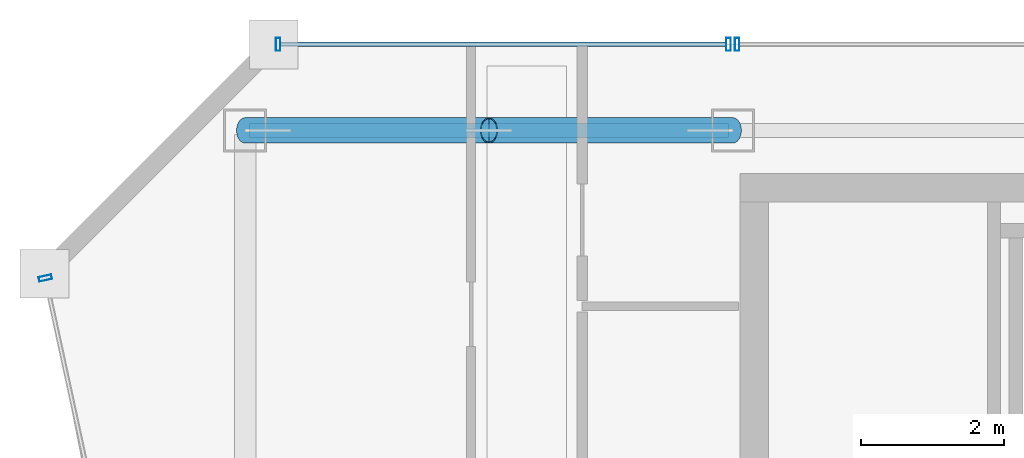
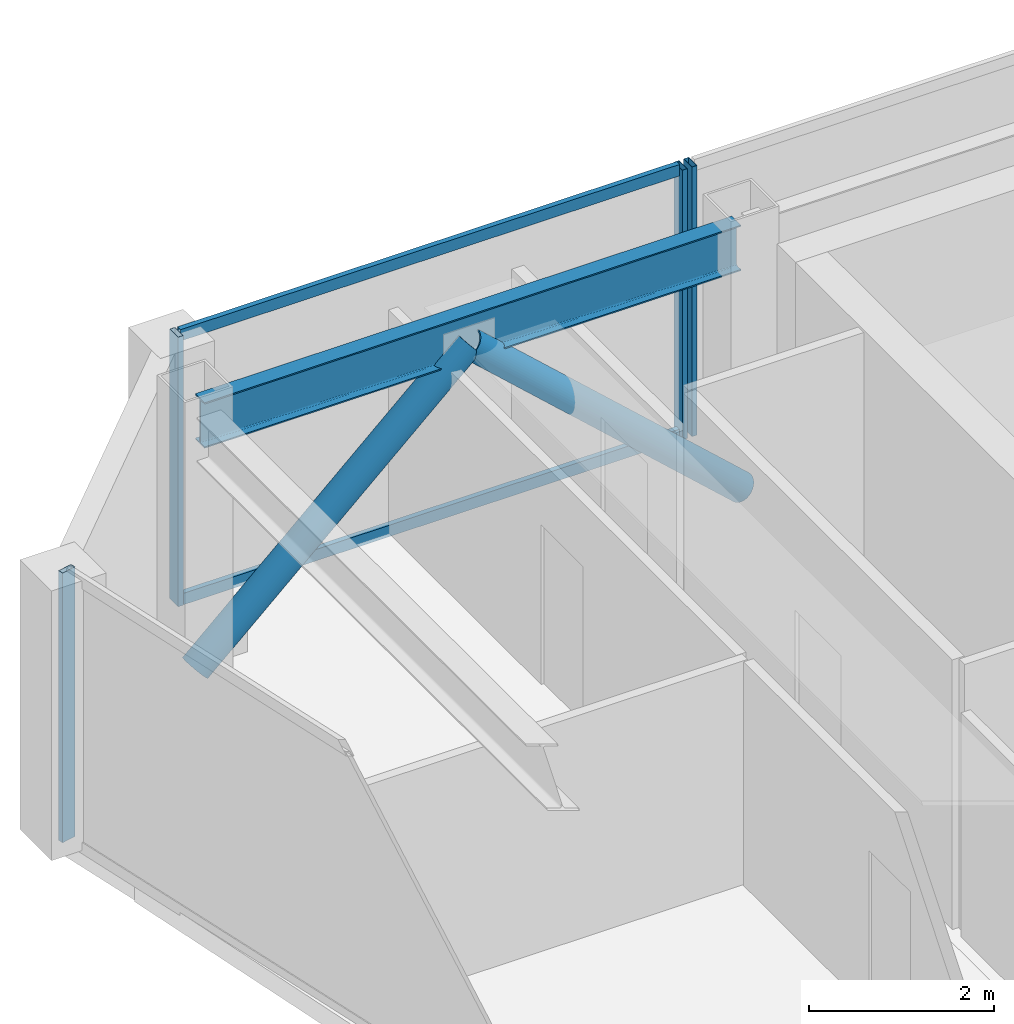
# One storey, part 4 of 17: 8 members, 1 beam, 3 elements without a shape of their own.
"""IFC4 building model written with IfcOpenShell, lengths in metres."""

from ifc_helpers import new_model, si_unit, direction, frame, origin, origin_2d, place, context, subcontext, project, spatial, hollow_rectangle, hollow_circle, i_section, extrude, material, material_profile, profile_set, type_object, element, aggregate, save


model = new_model("IFC4")

# Units and contexts
model_context = context("Model", 3, precision=1e-05, world=origin(), true_north=direction((0.0, 1.0)))
body_context = subcontext(model_context, "Body", "Model", "MODEL_VIEW")
ifc_project = project(units=[si_unit("LENGTHUNIT", "METRE"), si_unit("AREAUNIT", "SQUARE_METRE"), si_unit("VOLUMEUNIT", "CUBIC_METRE"), si_unit("PLANEANGLEUNIT", "RADIAN"), si_unit("MASSUNIT", "GRAM", prefix="KILO")], contexts=[model_context])

# Site, building, storey
site_placement = place(None, origin())
site = spatial("IfcSite", under=ifc_project, at=site_placement, CompositionType="ELEMENT")
building_placement = place(site_placement, origin())
building = spatial("IfcBuilding", under=site, at=building_placement, Name="Saevonmaru Cultural Tower", CompositionType="ELEMENT")
storey_placement = place(building_placement, frame((0.0, 0.0, 310.39990234375)))
storey = spatial("IfcBuildingStorey", under=building, at=storey_placement, Name="L74", CompositionType="ELEMENT", Elevation=310.39990234375)

# Beam
ifc_material_1 = material(Name="Steel SM355", Category="steel")
ifc_material_profile_1 = material_profile(ifc_material_1, i_section(OverallWidth=0.199951171875, OverallDepth=0.60009765625, WebThickness=0.010986328125, FlangeThickness=0.01708984375, FilletRadius=0.02197265625, at=origin_2d()), Name="H-600x200x11x17")
ifc_profile_set_1 = profile_set([ifc_material_profile_1], Name="Steel SM355")
beam_type = type_object("IfcBeamType", Name="BM-SP-H600", PredefinedType="SPANDREL", material=ifc_profile_set_1)
beam_placement = place(storey_placement, frame((6.860107421875, 54.800048828125, 3.25), z_axis=(1.0, 0.0, 0.0), x_axis=(0.0, 1.0, 0.0)))
element("IfcBeam", 1, at=beam_placement, inside=storey, type_object=beam_type, Name="L74 North Spine Girder 1", PredefinedType="SPANDREL", context=body_context, shape_type="SweptSolid", body=[
    extrude(i_section(OverallWidth=0.199951171875, OverallDepth=0.60009765625, WebThickness=0.010986328125, FlangeThickness=0.01708984375, FilletRadius=0.02197265625, at=origin_2d()), origin(), (0.0, 0.0, 1.0), 6.679931640625),
])

# Members
ifc_material_profile_2 = material_profile(ifc_material_1, hollow_circle(Radius=0.177734375, WallThickness=0.01611328125, at=origin_2d()), Name="CHS-355.6x16")
ifc_profile_set_2 = profile_set([ifc_material_profile_2], Name="Steel SM355")
member_type_1 = type_object("IfcMemberType", Name="MB-PBR-CHS356", PredefinedType="BRACE", material=ifc_profile_set_2)
member_1_placement = place(storey_placement, frame((6.800048828125, 54.800048828125, 0.02001953125), z_axis=(0.738935641579, 0.0, 0.673776014417), x_axis=(0.0, 1.0, 0.0)))
element("IfcMember", 2, at=member_1_placement, inside=storey, type_object=member_type_1, Name="L74 Perimeter Braced-Tube Diagonal WN1", PredefinedType="BRACE", context=body_context, shape_type="SweptSolid", body=[
    extrude(hollow_circle(Radius=0.177734375, WallThickness=0.01611328125, at=origin_2d()), origin(), (0.0, 0.0, 1.0), 4.60107421875),
])
member_2_placement = place(storey_placement, frame((13.60009765625, 54.800048828125, 0.02001953125), z_axis=(-0.738959728749, 0.0, 0.673749596873), x_axis=(0.0, -1.0, 0.0)))
element("IfcMember", 3, at=member_2_placement, inside=storey, type_object=member_type_1, Name="L74 Perimeter Braced-Tube Diagonal WN2", PredefinedType="BRACE", context=body_context, shape_type="SweptSolid", body=[
    extrude(hollow_circle(Radius=0.177734375, WallThickness=0.01611328125, at=origin_2d()), origin(), (0.0, 0.0, 1.0), 4.601318359375),
])

# Curtain wall, member
ifc_material_2 = material(Name="Satin Bronze Anodised Aluminium", Category="aluminium")
curtain_wall_type = type_object("IfcCurtainWallType", Name="CW-TYP-B", PredefinedType="NOTDEFINED", material=ifc_material_2)
curtain_wall_1_placement = place(storey_placement, origin())
curtain_wall_1 = element("IfcCurtainWall", 4, at=curtain_wall_1_placement, inside=storey, type_object=curtain_wall_type, Name="L74 North Spine Unitised Curtain Wall E10B", PredefinedType="NOTDEFINED")
ifc_material_profile_3 = material_profile(ifc_material_2, hollow_rectangle(XDim=0.06494140625, YDim=0.179931640625, WallThickness=0.00390625, at=origin_2d()), Name="ALU-MULL-180x65x4")
ifc_profile_set_3 = profile_set([ifc_material_profile_3], Name="Satin Bronze Anodised Aluminium")
member_type_2 = type_object("IfcMemberType", Name="ML-CW-180x65", PredefinedType="MULLION", material=ifc_profile_set_3)
member_3_placement = place(storey_placement, frame((13.659912109375, 56.0, 0.0), z_axis=(0.0, 0.0, 1.0), x_axis=(-1.0, 0.0, 0.0)))
member_3 = element("IfcMember", 5, at=member_3_placement, type_object=member_type_2, Name="CW-TW-L74-E10B mullion 4", PredefinedType="MULLION", context=body_context, shape_type="SweptSolid", body=[
    extrude(hollow_rectangle(XDim=0.06494140625, YDim=0.179931640625, WallThickness=0.00390625, at=origin_2d()), origin(), (0.0, 0.0, 1.0), 3.550048828125),
])
aggregate(curtain_wall_1, [member_3])

# Curtain wall, members
curtain_wall_2_placement = place(storey_placement, origin())
curtain_wall_2 = element("IfcCurtainWall", 6, at=curtain_wall_2_placement, inside=storey, type_object=curtain_wall_type, Name="L74 West Braced Bay Spandrel Curtain Wall E10C", PredefinedType="NOTDEFINED")
member_4_placement = place(storey_placement, frame((13.5400390625, 56.0, 0.0), z_axis=(0.0, 0.0, 1.0), x_axis=(-1.0, 0.0, 0.0)))
member_4 = element("IfcMember", 7, at=member_4_placement, type_object=member_type_2, Name="CW-TW-L74-E10C mullion 1", PredefinedType="MULLION", context=body_context, shape_type="SweptSolid", body=[
    extrude(hollow_rectangle(XDim=0.06494140625, YDim=0.179931640625, WallThickness=0.00390625, at=origin_2d()), origin(), (0.0, 0.0, 1.0), 3.550048828125),
])
member_5_placement = place(storey_placement, frame((7.260009765625, 56.0, 0.0), z_axis=(0.0, 0.0, 1.0), x_axis=(-1.0, 0.0, 0.0)))
member_5 = element("IfcMember", 8, at=member_5_placement, type_object=member_type_2, Name="CW-TW-L74-E10C mullion 2", PredefinedType="MULLION", context=body_context, shape_type="SweptSolid", body=[
    extrude(hollow_rectangle(XDim=0.06494140625, YDim=0.179931640625, WallThickness=0.00390625, at=origin_2d()), origin(), (0.0, 0.0, 1.0), 3.550048828125),
])

# Curtain wall, member
curtain_wall_3_placement = place(storey_placement, origin())
curtain_wall_3 = element("IfcCurtainWall", 9, at=curtain_wall_3_placement, inside=storey, type_object=curtain_wall_type, Name="L74 Unitised Curtain Wall E12", PredefinedType="NOTDEFINED")
member_6_placement = place(storey_placement, frame((4.0126953125, 52.741455078125, 0.0), z_axis=(0.0, 0.0, 1.0), x_axis=(0.211750401587, -0.977323778196, 0.0)))
member_6 = element("IfcMember", 10, at=member_6_placement, type_object=member_type_2, Name="CW-TW-L74-E12 mullion 1", PredefinedType="MULLION", context=body_context, shape_type="SweptSolid", body=[
    extrude(hollow_rectangle(XDim=0.06494140625, YDim=0.179931640625, WallThickness=0.00390625, at=origin_2d()), origin(), (0.0, 0.0, 1.0), 3.550048828125),
])
aggregate(curtain_wall_3, [member_6])

# Member
ifc_material_profile_4 = material_profile(ifc_material_2, hollow_rectangle(XDim=0.06494140625, YDim=0.14990234375, WallThickness=0.00390625, at=origin_2d()), Name="ALU-TRAN-150x65x4")
ifc_profile_set_4 = profile_set([ifc_material_profile_4], Name="Satin Bronze Anodised Aluminium")
member_type_3 = type_object("IfcMemberType", Name="TR-CW-150x65", PredefinedType="USERDEFINED", material=ifc_profile_set_4)
member_7_placement = place(storey_placement, frame((13.507568359375, 56.0, 0.03271484375), z_axis=(-1.0, 0.0, 0.0), x_axis=(0.0, -1.0, 0.0)))
member_7 = element("IfcMember", 11, at=member_7_placement, type_object=member_type_3, Name="CW-TW-L74-E10C transom 1.1", ObjectType="TRANSOM", PredefinedType="USERDEFINED", context=body_context, shape_type="SweptSolid", body=[
    extrude(hollow_rectangle(XDim=0.06494140625, YDim=0.14990234375, WallThickness=0.00390625, at=origin_2d()), origin(), (0.0, 0.0, 1.0), 6.215087890625),
])

member_8_placement = place(storey_placement, frame((13.507568359375, 56.0, 3.517578125), z_axis=(-1.0, 0.0, 0.0), x_axis=(0.0, -1.0, 0.0)))
member_8 = element("IfcMember", 12, at=member_8_placement, type_object=member_type_3, Name="CW-TW-L74-E10C transom 1.2", ObjectType="TRANSOM", PredefinedType="USERDEFINED", context=body_context, shape_type="SweptSolid", body=[
    extrude(hollow_rectangle(XDim=0.06494140625, YDim=0.14990234375, WallThickness=0.00390625, at=origin_2d()), origin(), (0.0, 0.0, 1.0), 6.215087890625),
])

aggregate(curtain_wall_2, [member_4, member_5, member_7, member_8])

save(model, "model.ifc")
